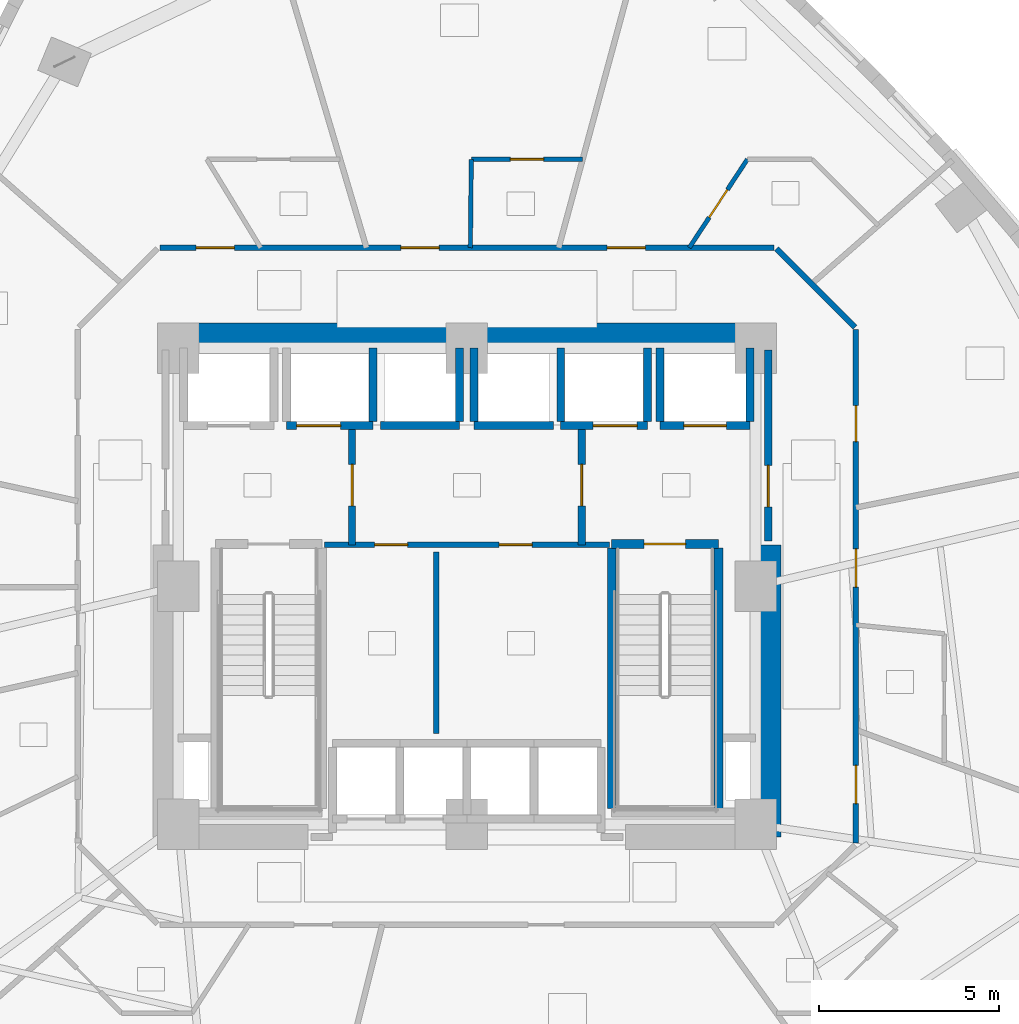
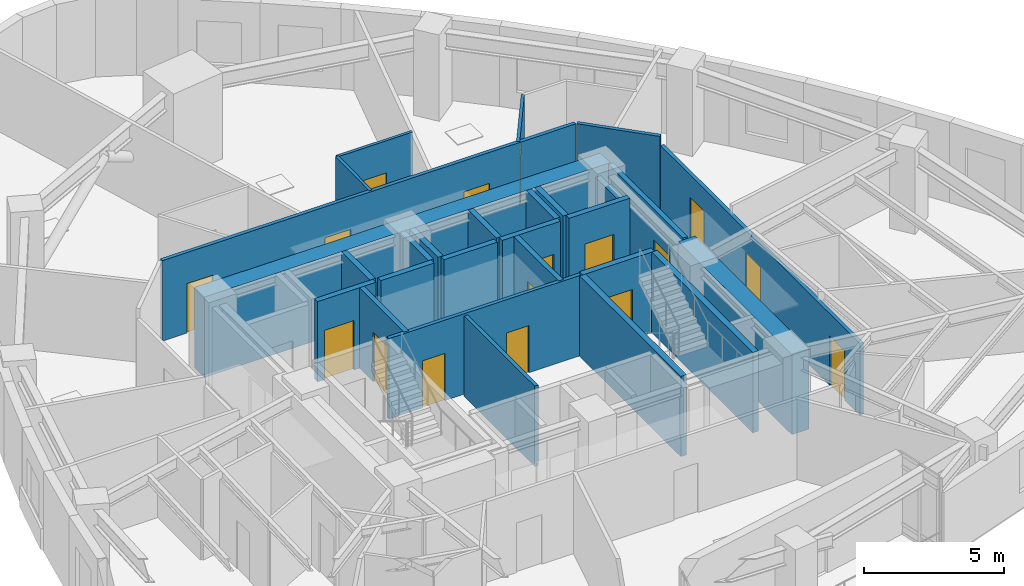
# One storey, part 7 of 12: 28 walls, 17 doors, 17 openings.
"""IFC4 building model written with IfcOpenShell, lengths in metres."""

from ifc_helpers import new_model, si_unit, direction, frame, frame_2d, origin, place, context, subcontext, project, spatial, rectangle, extrude, material, layer, layer_set, type_object, element, fill, save


model = new_model("IFC4")

# Units and contexts
model_context = context("Model", 3, precision=1e-05, world=origin(), true_north=direction((0.0, 1.0)))
body_context = subcontext(model_context, "Body", "Model", "MODEL_VIEW")
ifc_project = project(units=[si_unit("LENGTHUNIT", "METRE"), si_unit("AREAUNIT", "SQUARE_METRE"), si_unit("VOLUMEUNIT", "CUBIC_METRE"), si_unit("PLANEANGLEUNIT", "RADIAN"), si_unit("MASSUNIT", "GRAM", prefix="KILO")], contexts=[model_context])

# Site, building, storey
site_placement = place(None, origin())
site = spatial("IfcSite", under=ifc_project, at=site_placement, CompositionType="ELEMENT")
building_placement = place(site_placement, origin())
building = spatial("IfcBuilding", under=site, at=building_placement, Name="Ndelora Gate Hotel", CompositionType="ELEMENT")
storey_placement = place(building_placement, frame((0.0, 0.0, 71.75)))
storey = spatial("IfcBuildingStorey", under=building, at=storey_placement, Name="L17", CompositionType="ELEMENT", Elevation=71.75)

# Walls
ifc_material_1 = material(Name="Concrete C60/75", Category="concrete")
ifc_layer_1 = layer(ifc_material_1, 0.699951171875)
ifc_layer_set_1 = layer_set([ifc_layer_1], Name="Concrete C60/75")
wall_type_1 = type_object("IfcWallType", Name="WL-CORE-700", PredefinedType="SHEAR", material=ifc_layer_set_1)
wall_1_placement = place(storey_placement, frame((-8.35009765625, 6.949951171875, 0.0), z_axis=(0.0, 0.0, 1.0), x_axis=(1.0, 0.0, 0.0)))
element("IfcWall", 1, at=wall_1_placement, inside=storey, type_object=wall_type_1, Name="L17 Core Shear Wall N", PredefinedType="SHEAR", context=body_context, shape_type="SweptSolid", body=[
    extrude(rectangle(XDim=16.7001953125, YDim=0.699951171875, at=frame_2d((8.35009765625, 0.0))), origin(), (0.0, 0.0, 1.0), 3.5),
])
wall_2_placement = place(storey_placement, frame((8.35009765625, -6.949951171875, 0.0), z_axis=(0.0, 0.0, 1.0), x_axis=(0.0, 1.0, 0.0)))
element("IfcWall", 2, at=wall_2_placement, inside=storey, type_object=wall_type_1, Name="L17 Core Shear Wall E", PredefinedType="SHEAR", context=body_context, shape_type="SweptSolid", body=[
    extrude(rectangle(XDim=8.099853515625, YDim=0.699951171875, at=frame_2d((4.0498046875, 0.0))), origin(), (0.0, 0.0, 1.0), 3.5),
])

# Wall, opening, door
ifc_material_2 = material(Name="Concrete C40/50", Category="concrete")
ifc_layer_2 = layer(ifc_material_2, 0.199951171875)
ifc_layer_set_2 = layer_set([ifc_layer_2], Name="Concrete C40/50")
wall_type_2 = type_object("IfcWallType", Name="WL-FIRE-200", PredefinedType="PARTITIONING", material=ifc_layer_set_2)
wall_3_placement = place(storey_placement, frame((-3.179931640625, 1.14990234375, 0.0), z_axis=(0.0, 0.0, 1.0), x_axis=(0.0, 1.0, 0.0)))
wall_3 = element("IfcWall", 3, at=wall_3_placement, inside=storey, type_object=wall_type_2, Name="L17 Interior Wall IW-2", PredefinedType="PARTITIONING", context=body_context, shape_type="SweptSolid", body=[
    extrude(rectangle(XDim=3.300048828125, YDim=0.199951171875, at=frame_2d((1.64990234375, 0.0))), origin(), (0.0, 0.0, 1.0), 3.5),
])
opening_1_placement = place(wall_3_placement, frame((1.080078125, 0.0, 0.0)))
opening_1 = element("IfcOpeningElement", 4, at=opening_1_placement, cuts=wall_3, Name="Opening FD1", PredefinedType="OPENING", context=body_context, shape_type="SweptSolid", body=[
    extrude(rectangle(XDim=1.14990234375, YDim=2.14990234375, at=frame_2d((0.574951171875, 1.074951171875))), frame((0.0, 0.10986328125, 0.0), z_axis=(0.0, -1.0, 0.0), x_axis=(1.0, 0.0, 0.0)), (0.0, 0.0, 1.0), 0.219970703125),
])
ifc_material_3 = material(Name="Fire-Rated Timber-Veneer Steel Core", Category="steel")
door_type_1 = type_object("IfcDoorType", Name="DR-FD60", OperationType="SINGLE_SWING_LEFT", PredefinedType="DOOR", material=ifc_material_3)
door_1_placement = place(opening_1_placement, origin())
door_1 = element("IfcDoor", 5, at=door_1_placement, inside=storey, type_object=door_type_1, Name="L17 Firefighting Lobby West Door", OperationType="SINGLE_SWING_RIGHT", OverallHeight=2.14990234375, OverallWidth=1.14990234375, PredefinedType="DOOR", context=body_context, shape_type="SweptSolid", body=[
    extrude(rectangle(XDim=1.14990234375, YDim=2.14990234375, at=frame_2d((0.574951171875, 1.074951171875))), frame((0.0, 0.02490234375, 0.0), z_axis=(0.0, -1.0, 0.0), x_axis=(1.0, 0.0, 0.0)), (0.0, 0.0, 1.0), 0.050048828125),
])
fill(opening_1, door_1)

wall_4_placement = place(storey_placement, frame((3.179931640625, 1.14990234375, 0.0), z_axis=(0.0, 0.0, 1.0), x_axis=(0.0, 1.0, 0.0)))
wall_4 = element("IfcWall", 6, at=wall_4_placement, inside=storey, type_object=wall_type_2, Name="L17 Interior Wall IW-2", PredefinedType="PARTITIONING", context=body_context, shape_type="SweptSolid", body=[
    extrude(rectangle(XDim=3.300048828125, YDim=0.199951171875, at=frame_2d((1.64990234375, 0.0))), origin(), (0.0, 0.0, 1.0), 3.5),
])
opening_2_placement = place(wall_4_placement, frame((1.080078125, 0.0, 0.0)))
opening_2 = element("IfcOpeningElement", 7, at=opening_2_placement, cuts=wall_4, Name="Opening FD1", PredefinedType="OPENING", context=body_context, shape_type="SweptSolid", body=[
    extrude(rectangle(XDim=1.14990234375, YDim=2.14990234375, at=frame_2d((0.574951171875, 1.074951171875))), frame((0.0, 0.10986328125, 0.0), z_axis=(0.0, -1.0, 0.0), x_axis=(1.0, 0.0, 0.0)), (0.0, 0.0, 1.0), 0.219970703125),
])
door_2_placement = place(opening_2_placement, origin())
door_2 = element("IfcDoor", 8, at=door_2_placement, inside=storey, type_object=door_type_1, Name="L17 Firefighting Lobby East Door", OperationType="SINGLE_SWING_LEFT", OverallHeight=2.14990234375, OverallWidth=1.14990234375, PredefinedType="DOOR", context=body_context, shape_type="SweptSolid", body=[
    extrude(rectangle(XDim=1.14990234375, YDim=2.14990234375, at=frame_2d((0.574951171875, 1.074951171875))), frame((0.0, 0.02490234375, 0.0), z_axis=(0.0, -1.0, 0.0), x_axis=(1.0, 0.0, 0.0)), (0.0, 0.0, 1.0), 0.050048828125),
])
fill(opening_2, door_2)

wall_5_placement = place(storey_placement, frame((8.35009765625, 1.25, 0.0), z_axis=(0.0, 0.0, 1.0), x_axis=(0.0, 1.0, 0.0)))
wall_5 = element("IfcWall", 9, at=wall_5_placement, inside=storey, type_object=wall_type_2, Name="L17 Interior Wall IW-2", PredefinedType="PARTITIONING", context=body_context, shape_type="SweptSolid", body=[
    extrude(rectangle(XDim=5.300048828125, YDim=0.199951171875, at=frame_2d((2.64990234375, 0.0))), origin(), (0.0, 0.0, 1.0), 3.5),
])
opening_3_placement = place(wall_5_placement, frame((0.949951171875, 0.0, 0.0)))
opening_3 = element("IfcOpeningElement", 10, at=opening_3_placement, cuts=wall_5, Name="Opening FD1", PredefinedType="OPENING", context=body_context, shape_type="SweptSolid", body=[
    extrude(rectangle(XDim=1.14990234375, YDim=2.14990234375, at=frame_2d((0.574951171875, 1.074951171875))), frame((0.0, 0.10986328125, 0.0), z_axis=(0.0, -1.0, 0.0), x_axis=(1.0, 0.0, 0.0)), (0.0, 0.0, 1.0), 0.219970703125),
])
door_3_placement = place(opening_3_placement, origin())
door_3 = element("IfcDoor", 11, at=door_3_placement, inside=storey, type_object=door_type_1, Name="L17 Firefighting Lobby East Corridor Door", OperationType="SINGLE_SWING_RIGHT", OverallHeight=2.14990234375, OverallWidth=1.14990234375, PredefinedType="DOOR", context=body_context, shape_type="SweptSolid", body=[
    extrude(rectangle(XDim=1.14990234375, YDim=2.14990234375, at=frame_2d((0.574951171875, 1.074951171875))), frame((0.0, 0.02490234375, 0.0), z_axis=(0.0, -1.0, 0.0), x_axis=(1.0, 0.0, 0.0)), (0.0, 0.0, 1.0), 0.050048828125),
])
fill(opening_3, door_3)

# Wall, openings, doors
ifc_material_4 = material(Name="Fire-Rated Gypsum Stud Partition", Category="gypsum")
ifc_layer_3 = layer(ifc_material_4, 0.14990234375)
ifc_layer_set_3 = layer_set([ifc_layer_3], Name="Fire-Rated Gypsum Stud Partition")
wall_type_3 = type_object("IfcWallType", Name="WL-PART-150", PredefinedType="PARTITIONING", material=ifc_layer_set_3)
wall_6_placement = place(storey_placement, frame((3.949951171875, 1.14990234375, 0.0), z_axis=(0.0, 0.0, 1.0), x_axis=(-1.0, 0.0, 0.0)))
wall_6 = element("IfcWall", 12, at=wall_6_placement, inside=storey, type_object=wall_type_3, Name="L17 Interior Wall IW-5", PredefinedType="PARTITIONING", context=body_context, shape_type="SweptSolid", body=[
    extrude(rectangle(XDim=7.89990234375, YDim=0.14990234375, at=frame_2d((3.949951171875, 0.0))), origin(), (0.0, 0.0, 1.0), 3.5),
])
opening_4_placement = place(wall_6_placement, frame((5.590087890625, 0.0, 0.0)))
opening_4 = element("IfcOpeningElement", 13, at=opening_4_placement, cuts=wall_6, Name="Opening D04", PredefinedType="OPENING", context=body_context, shape_type="SweptSolid", body=[
    extrude(rectangle(XDim=0.919921875, YDim=2.050048828125, at=frame_2d((0.4599609375, 1.02490234375))), frame((0.0, 0.0849609375, 0.0), z_axis=(0.0, -1.0, 0.0), x_axis=(1.0, 0.0, 0.0)), (0.0, 0.0, 1.0), 0.169921875),
])
opening_5_placement = place(wall_6_placement, frame((2.139892578125, 0.0, 0.0)))
opening_5 = element("IfcOpeningElement", 14, at=opening_5_placement, cuts=wall_6, Name="Opening D04", PredefinedType="OPENING", context=body_context, shape_type="SweptSolid", body=[
    extrude(rectangle(XDim=0.919921875, YDim=2.050048828125, at=frame_2d((0.4599609375, 1.02490234375))), frame((0.0, 0.0849609375, 0.0), z_axis=(0.0, -1.0, 0.0), x_axis=(1.0, 0.0, 0.0)), (0.0, 0.0, 1.0), 0.169921875),
])
ifc_material_5 = material(Name="Painted Steel Core Service Door", Category="steel")
door_type_2 = type_object("IfcDoorType", Name="DR-SER-920", OperationType="SINGLE_SWING_LEFT", PredefinedType="DOOR", material=ifc_material_5)
door_4_placement = place(opening_4_placement, origin())
door_4 = element("IfcDoor", 15, at=door_4_placement, inside=storey, type_object=door_type_2, Name="L17 Core Electrical Switchroom Door", OperationType="SINGLE_SWING_LEFT", OverallHeight=2.050048828125, OverallWidth=0.919921875, PredefinedType="DOOR", context=body_context, shape_type="SweptSolid", body=[
    extrude(rectangle(XDim=0.919921875, YDim=2.050048828125, at=frame_2d((0.4599609375, 1.02490234375))), frame((0.0, 0.02490234375, 0.0), z_axis=(0.0, -1.0, 0.0), x_axis=(1.0, 0.0, 0.0)), (0.0, 0.0, 1.0), 0.050048828125),
])
fill(opening_4, door_4)
door_5_placement = place(opening_5_placement, origin())
door_5 = element("IfcDoor", 16, at=door_5_placement, inside=storey, type_object=door_type_2, Name="L17 Central Linen Equipment Store Door", OperationType="SINGLE_SWING_RIGHT", OverallHeight=2.050048828125, OverallWidth=0.919921875, PredefinedType="DOOR", context=body_context, shape_type="SweptSolid", body=[
    extrude(rectangle(XDim=0.919921875, YDim=2.050048828125, at=frame_2d((0.4599609375, 1.02490234375))), frame((0.0, 0.02490234375, 0.0), z_axis=(0.0, -1.0, 0.0), x_axis=(1.0, 0.0, 0.0)), (0.0, 0.0, 1.0), 0.050048828125),
])
fill(opening_5, door_5)

# Wall
wall_7_placement = place(storey_placement, frame((-0.85009765625, -4.080078125, 0.0), z_axis=(0.0, 0.0, 1.0), x_axis=(0.0, 1.0, 0.0)))
element("IfcWall", 17, at=wall_7_placement, inside=storey, type_object=wall_type_3, Name="L17 Interior Wall IW-5", PredefinedType="PARTITIONING", context=body_context, shape_type="SweptSolid", body=[
    extrude(rectangle(XDim=5.030029296875, YDim=0.14990234375, at=frame_2d((2.51513671875, 0.0))), origin(), (0.0, 0.0, 1.0), 3.5),
])

# Wall, openings, doors
wall_8_placement = place(storey_placement, frame((10.780029296875, 7.110107421875, 0.0), z_axis=(0.0, 0.0, 1.0), x_axis=(0.0, -1.0, 0.0)))
wall_8 = element("IfcWall", 18, at=wall_8_placement, inside=storey, type_object=wall_type_3, Name="L17 Interior Wall IW-5", PredefinedType="PARTITIONING", context=body_context, shape_type="SweptSolid", body=[
    extrude(rectangle(XDim=14.22021484375, YDim=0.14990234375, at=frame_2d((7.110107421875, 0.0))), origin(), (0.0, 0.0, 1.0), 3.1201171875),
])
opening_6_placement = place(wall_8_placement, frame((2.104736328125, 0.0, 0.0)))
opening_6 = element("IfcOpeningElement", 19, at=opening_6_placement, cuts=wall_8, Name="Opening D01", PredefinedType="OPENING", context=body_context, shape_type="SweptSolid", body=[
    extrude(rectangle(XDim=1.0, YDim=2.14990234375, at=frame_2d((0.5, 1.074951171875))), frame((0.0, 0.0849609375, 0.0), z_axis=(0.0, -1.0, 0.0), x_axis=(1.0, 0.0, 0.0)), (0.0, 0.0, 1.0), 0.169921875),
])
opening_7_placement = place(wall_8_placement, frame((12.0751953125, 0.0, 0.0)))
opening_7 = element("IfcOpeningElement", 20, at=opening_7_placement, cuts=wall_8, Name="Opening D07", PredefinedType="OPENING", context=body_context, shape_type="SweptSolid", body=[
    extrude(rectangle(XDim=1.06005859375, YDim=2.14990234375, at=frame_2d((0.530029296875, 1.074951171875))), frame((0.0, 0.0849609375, 0.0), z_axis=(0.0, -1.0, 0.0), x_axis=(1.0, 0.0, 0.0)), (0.0, 0.0, 1.0), 0.169921875),
])
opening_8_placement = place(wall_8_placement, frame((6.074462890625, 0.0, 0.0)))
opening_8 = element("IfcOpeningElement", 21, at=opening_8_placement, cuts=wall_8, Name="Opening D07", PredefinedType="OPENING", context=body_context, shape_type="SweptSolid", body=[
    extrude(rectangle(XDim=1.06005859375, YDim=2.14990234375, at=frame_2d((0.530029296875, 1.074951171875))), frame((0.0, 0.0849609375, 0.0), z_axis=(0.0, -1.0, 0.0), x_axis=(1.0, 0.0, 0.0)), (0.0, 0.0, 1.0), 0.169921875),
])
ifc_material_6 = material(Name="Acoustic Hardwood Guest Entrance Door", Category="wood")
door_type_3 = type_object("IfcDoorType", Name="DR-COR-1000", OperationType="SINGLE_SWING_LEFT", PredefinedType="DOOR", material=ifc_material_6)
door_6_placement = place(opening_6_placement, origin())
door_6 = element("IfcDoor", 22, at=door_6_placement, inside=storey, type_object=door_type_3, Name="L17 Curated Art Salon Entrance Door", OperationType="SINGLE_SWING_LEFT", OverallHeight=2.14990234375, OverallWidth=1.0, PredefinedType="DOOR", context=body_context, shape_type="SweptSolid", body=[
    extrude(rectangle(XDim=1.0, YDim=2.14990234375, at=frame_2d((0.5, 1.074951171875))), frame((0.0, 0.02490234375, 0.0), z_axis=(0.0, -1.0, 0.0), x_axis=(1.0, 0.0, 0.0)), (0.0, 0.0, 1.0), 0.050048828125),
])
fill(opening_6, door_6)
ifc_material_7 = material(Name="Diplomatic Suite Acoustic Entrance Door", Category="wood")
door_type_4 = type_object("IfcDoorType", Name="DR-SUITE-1060", OperationType="SINGLE_SWING_LEFT", PredefinedType="DOOR", material=ifc_material_7)
door_7_placement = place(opening_7_placement, origin())
door_7 = element("IfcDoor", 23, at=door_7_placement, inside=storey, type_object=door_type_4, Name="L17 Deluxe King Junior Suite 2003 Entrance Door", OperationType="SINGLE_SWING_LEFT", OverallHeight=2.14990234375, OverallWidth=1.06005859375, PredefinedType="DOOR", context=body_context, shape_type="SweptSolid", body=[
    extrude(rectangle(XDim=1.06005859375, YDim=2.14990234375, at=frame_2d((0.530029296875, 1.074951171875))), frame((0.0, 0.02490234375, 0.0), z_axis=(0.0, -1.0, 0.0), x_axis=(1.0, 0.0, 0.0)), (0.0, 0.0, 1.0), 0.050048828125),
])
fill(opening_7, door_7)
door_8_placement = place(opening_8_placement, origin())
door_8 = element("IfcDoor", 24, at=door_8_placement, inside=storey, type_object=door_type_4, Name="L17 Twin Junior Suite 2004 Entrance Door", OperationType="SINGLE_SWING_RIGHT", OverallHeight=2.14990234375, OverallWidth=1.06005859375, PredefinedType="DOOR", context=body_context, shape_type="SweptSolid", body=[
    extrude(rectangle(XDim=1.06005859375, YDim=2.14990234375, at=frame_2d((0.530029296875, 1.074951171875))), frame((0.0, 0.02490234375, 0.0), z_axis=(0.0, -1.0, 0.0), x_axis=(1.0, 0.0, 0.0)), (0.0, 0.0, 1.0), 0.050048828125),
])
fill(opening_8, door_8)

# Wall
wall_9_placement = place(storey_placement, frame((8.578369140625, 9.351806640625, 0.0), z_axis=(0.0, 0.0, 1.0), x_axis=(0.707067066127, -0.707146494016, 0.0)))
element("IfcWall", 25, at=wall_9_placement, inside=storey, type_object=wall_type_3, Name="L17 Interior Wall IW-5", PredefinedType="PARTITIONING", context=body_context, shape_type="SweptSolid", body=[
    extrude(rectangle(XDim=3.07373046875, YDim=0.14990234375, at=frame_2d((1.536865234375, 0.0))), origin(), (0.0, 0.0, 1.0), 3.5),
])

# Wall, openings, doors
wall_10_placement = place(storey_placement, frame((-8.510009765625, 9.3798828125, 0.0), z_axis=(0.0, 0.0, 1.0), x_axis=(1.0, 0.0, 0.0)))
wall_10 = element("IfcWall", 26, at=wall_10_placement, inside=storey, type_object=wall_type_3, Name="L17 Interior Wall IW-5", PredefinedType="PARTITIONING", context=body_context, shape_type="SweptSolid", body=[
    extrude(rectangle(XDim=17.02001953125, YDim=0.14990234375, at=frame_2d((8.510009765625, 0.0))), origin(), (0.0, 0.0, 1.0), 3.5),
])
opening_9_placement = place(wall_10_placement, frame((12.39794921875, 0.0, 0.0)))
opening_9 = element("IfcOpeningElement", 27, at=opening_9_placement, cuts=wall_10, Name="Opening D07", PredefinedType="OPENING", context=body_context, shape_type="SweptSolid", body=[
    extrude(rectangle(XDim=1.06005859375, YDim=2.14990234375, at=frame_2d((0.530029296875, 1.074951171875))), frame((0.0, 0.0849609375, 0.0), z_axis=(0.0, -1.0, 0.0), x_axis=(1.0, 0.0, 0.0)), (0.0, 0.0, 1.0), 0.169921875),
])
opening_10_placement = place(wall_10_placement, frame((1.007080078125, 0.0, 0.0)))
opening_10 = element("IfcOpeningElement", 28, at=opening_10_placement, cuts=wall_10, Name="Opening D07", PredefinedType="OPENING", context=body_context, shape_type="SweptSolid", body=[
    extrude(rectangle(XDim=1.06005859375, YDim=2.14990234375, at=frame_2d((0.530029296875, 1.074951171875))), frame((0.0, 0.0849609375, 0.0), z_axis=(0.0, -1.0, 0.0), x_axis=(1.0, 0.0, 0.0)), (0.0, 0.0, 1.0), 0.169921875),
])
opening_11_placement = place(wall_10_placement, frame((6.6826171875, 0.0, 0.0)))
opening_11 = element("IfcOpeningElement", 29, at=opening_11_placement, cuts=wall_10, Name="Opening D07", PredefinedType="OPENING", context=body_context, shape_type="SweptSolid", body=[
    extrude(rectangle(XDim=1.06005859375, YDim=2.14990234375, at=frame_2d((0.530029296875, 1.074951171875))), frame((0.0, 0.0849609375, 0.0), z_axis=(0.0, -1.0, 0.0), x_axis=(1.0, 0.0, 0.0)), (0.0, 0.0, 1.0), 0.169921875),
])
door_9_placement = place(opening_9_placement, origin())
door_9 = element("IfcDoor", 30, at=door_9_placement, inside=storey, type_object=door_type_4, Name="L17 Family Twin Suite 2005 Entrance Door", OperationType="SINGLE_SWING_RIGHT", OverallHeight=2.14990234375, OverallWidth=1.06005859375, PredefinedType="DOOR", context=body_context, shape_type="SweptSolid", body=[
    extrude(rectangle(XDim=1.06005859375, YDim=2.14990234375, at=frame_2d((0.530029296875, 1.074951171875))), frame((0.0, 0.02490234375, 0.0), z_axis=(0.0, -1.0, 0.0), x_axis=(1.0, 0.0, 0.0)), (0.0, 0.0, 1.0), 0.050048828125),
])
fill(opening_9, door_9)
door_10_placement = place(opening_10_placement, origin())
door_10 = element("IfcDoor", 31, at=door_10_placement, inside=storey, type_object=door_type_4, Name="L17 Superior Double Junior Suite 2007 Entrance Door", OperationType="SINGLE_SWING_RIGHT", OverallHeight=2.14990234375, OverallWidth=1.06005859375, PredefinedType="DOOR", context=body_context, shape_type="SweptSolid", body=[
    extrude(rectangle(XDim=1.06005859375, YDim=2.14990234375, at=frame_2d((0.530029296875, 1.074951171875))), frame((0.0, 0.02490234375, 0.0), z_axis=(0.0, -1.0, 0.0), x_axis=(1.0, 0.0, 0.0)), (0.0, 0.0, 1.0), 0.050048828125),
])
fill(opening_10, door_10)
door_11_placement = place(opening_11_placement, origin())
door_11 = element("IfcDoor", 32, at=door_11_placement, inside=storey, type_object=door_type_4, Name="L17 Executive King Junior Suite 2006 Entrance Door", OperationType="SINGLE_SWING_LEFT", OverallHeight=2.14990234375, OverallWidth=1.06005859375, PredefinedType="DOOR", context=body_context, shape_type="SweptSolid", body=[
    extrude(rectangle(XDim=1.06005859375, YDim=2.14990234375, at=frame_2d((0.530029296875, 1.074951171875))), frame((0.0, 0.02490234375, 0.0), z_axis=(0.0, -1.0, 0.0), x_axis=(1.0, 0.0, 0.0)), (0.0, 0.0, 1.0), 0.050048828125),
])
fill(opening_11, door_11)

# Wall, opening, door
ifc_layer_4 = layer(ifc_material_2, 0.219970703125)
ifc_layer_set_4 = layer_set([ifc_layer_4], Name="Concrete C40/50")
wall_type_4 = type_object("IfcWallType", Name="WL-SHAFT-220", PredefinedType="PARTITIONING", material=ifc_layer_set_4)
wall_11_placement = place(storey_placement, frame((5.35009765625, 4.449951171875, 0.0), z_axis=(0.0, 0.0, 1.0), x_axis=(1.0, 0.0, 0.0)))
wall_11 = element("IfcWall", 33, at=wall_11_placement, inside=storey, type_object=wall_type_4, Name="L17 Interior Wall IW-1", PredefinedType="PARTITIONING", context=body_context, shape_type="SweptSolid", body=[
    extrude(rectangle(XDim=2.5, YDim=0.219970703125, at=frame_2d((1.25, 0.0))), origin(), (0.0, 0.0, 1.0), 3.5),
])
opening_12_placement = place(wall_11_placement, frame((0.659912109375, 0.0, 0.0)))
opening_12 = element("IfcOpeningElement", 34, at=opening_12_placement, cuts=wall_11, Name="Opening LD5", PredefinedType="OPENING", context=body_context, shape_type="SweptSolid", body=[
    extrude(rectangle(XDim=1.179931640625, YDim=2.14990234375, at=frame_2d((0.58984375, 1.074951171875))), frame((0.0, 0.1201171875, 0.0), z_axis=(0.0, -1.0, 0.0), x_axis=(1.0, 0.0, 0.0)), (0.0, 0.0, 1.0), 0.239990234375),
])
ifc_material_8 = material(Name="Firefighting Lift Stainless Sliding Landing Door", Category="metal")
door_type_5 = type_object("IfcDoorType", Name="DR-LD5", OperationType="DOUBLE_DOOR_SLIDING", PredefinedType="DOOR", material=ifc_material_8)
door_12_placement = place(opening_12_placement, origin())
door_12 = element("IfcDoor", 35, at=door_12_placement, inside=storey, type_object=door_type_5, Name="L17 Lift Landing Sliding Door FFL2", OperationType="DOUBLE_DOOR_SLIDING", OverallHeight=2.14990234375, OverallWidth=1.179931640625, PredefinedType="DOOR", context=body_context, shape_type="SweptSolid", body=[
    extrude(rectangle(XDim=1.179931640625, YDim=2.14990234375, at=frame_2d((0.58984375, 1.074951171875))), frame((0.0, 0.02490234375, 0.0), z_axis=(0.0, -1.0, 0.0), x_axis=(1.0, 0.0, 0.0)), (0.0, 0.0, 1.0), 0.050048828125),
])
fill(opening_12, door_12)

# Walls
wall_12_placement = place(storey_placement, frame((5.35009765625, 4.570068359375, 0.0), z_axis=(0.0, 0.0, 1.0), x_axis=(0.0, 1.0, 0.0)))
element("IfcWall", 36, at=wall_12_placement, inside=storey, type_object=wall_type_4, Name="L17 Interior Wall IW-1", PredefinedType="PARTITIONING", context=body_context, shape_type="SweptSolid", body=[
    extrude(rectangle(XDim=2.030029296875, YDim=0.219970703125, at=frame_2d((1.01513671875, 0.0))), origin(), (0.0, 0.0, 1.0), 3.5),
])
wall_13_placement = place(storey_placement, frame((7.85009765625, 4.570068359375, 0.0), z_axis=(0.0, 0.0, 1.0), x_axis=(0.0, 1.0, 0.0)))
element("IfcWall", 37, at=wall_13_placement, inside=storey, type_object=wall_type_4, Name="L17 Interior Wall IW-1", PredefinedType="PARTITIONING", context=body_context, shape_type="SweptSolid", body=[
    extrude(rectangle(XDim=2.030029296875, YDim=0.219970703125, at=frame_2d((1.01513671875, 0.0))), origin(), (0.0, 0.0, 1.0), 3.080078125),
])

# Wall, opening, door
wall_14_placement = place(storey_placement, frame((-5.0, 4.449951171875, 0.0), z_axis=(0.0, 0.0, 1.0), x_axis=(1.0, 0.0, 0.0)))
wall_14 = element("IfcWall", 38, at=wall_14_placement, inside=storey, type_object=wall_type_4, Name="L17 Interior Wall IW-1", PredefinedType="PARTITIONING", context=body_context, shape_type="SweptSolid", body=[
    extrude(rectangle(XDim=2.39990234375, YDim=0.219970703125, at=frame_2d((1.199951171875, 0.0))), origin(), (0.0, 0.0, 1.0), 3.5),
])
opening_13_placement = place(wall_14_placement, frame((0.280029296875, 0.0, 0.0)))
opening_13 = element("IfcOpeningElement", 39, at=opening_13_placement, cuts=wall_14, Name="Opening LD6", PredefinedType="OPENING", context=body_context, shape_type="SweptSolid", body=[
    extrude(rectangle(XDim=1.219970703125, YDim=2.14990234375, at=frame_2d((0.60986328125, 1.074951171875))), frame((0.0, 0.1201171875, 0.0), z_axis=(0.0, -1.0, 0.0), x_axis=(1.0, 0.0, 0.0)), (0.0, 0.0, 1.0), 0.239990234375),
])
ifc_material_9 = material(Name="Heavy-Duty Service Lift Sliding Landing Door", Category="wood")
door_type_6 = type_object("IfcDoorType", Name="DR-LD6", OperationType="DOUBLE_DOOR_SLIDING", PredefinedType="DOOR", material=ifc_material_9)
door_13_placement = place(opening_13_placement, origin())
door_13 = element("IfcDoor", 40, at=door_13_placement, inside=storey, type_object=door_type_6, Name="L17 Lift Landing Sliding Door SVL1", OperationType="DOUBLE_DOOR_SLIDING", OverallHeight=2.14990234375, OverallWidth=1.219970703125, PredefinedType="DOOR", context=body_context, shape_type="SweptSolid", body=[
    extrude(rectangle(XDim=1.219970703125, YDim=2.14990234375, at=frame_2d((0.60986328125, 1.074951171875))), frame((0.0, 0.02490234375, 0.0), z_axis=(0.0, -1.0, 0.0), x_axis=(1.0, 0.0, 0.0)), (0.0, 0.0, 1.0), 0.050048828125),
])
fill(opening_13, door_13)

# Wall
wall_15_placement = place(storey_placement, frame((-2.60009765625, 4.570068359375, 0.0), z_axis=(0.0, 0.0, 1.0), x_axis=(0.0, 1.0, 0.0)))
element("IfcWall", 41, at=wall_15_placement, inside=storey, type_object=wall_type_4, Name="L17 Interior Wall IW-1", PredefinedType="PARTITIONING", context=body_context, shape_type="SweptSolid", body=[
    extrude(rectangle(XDim=2.030029296875, YDim=0.219970703125, at=frame_2d((1.01513671875, 0.0))), origin(), (0.0, 0.0, 1.0), 3.5),
])

# Wall, opening, door
wall_16_placement = place(storey_placement, frame((2.60009765625, 4.449951171875, 0.0), z_axis=(0.0, 0.0, 1.0), x_axis=(1.0, 0.0, 0.0)))
wall_16 = element("IfcWall", 42, at=wall_16_placement, inside=storey, type_object=wall_type_4, Name="L17 Interior Wall IW-1", PredefinedType="PARTITIONING", context=body_context, shape_type="SweptSolid", body=[
    extrude(rectangle(XDim=2.39990234375, YDim=0.219970703125, at=frame_2d((1.199951171875, 0.0))), origin(), (0.0, 0.0, 1.0), 3.5),
])
opening_14_placement = place(wall_16_placement, frame((0.89990234375, 0.0, 0.0)))
opening_14 = element("IfcOpeningElement", 43, at=opening_14_placement, cuts=wall_16, Name="Opening LD6", PredefinedType="OPENING", context=body_context, shape_type="SweptSolid", body=[
    extrude(rectangle(XDim=1.219970703125, YDim=2.14990234375, at=frame_2d((0.60986328125, 1.074951171875))), frame((0.0, 0.1201171875, 0.0), z_axis=(0.0, -1.0, 0.0), x_axis=(1.0, 0.0, 0.0)), (0.0, 0.0, 1.0), 0.239990234375),
])
door_14_placement = place(opening_14_placement, origin())
door_14 = element("IfcDoor", 44, at=door_14_placement, inside=storey, type_object=door_type_6, Name="L17 Lift Landing Sliding Door SVL2", OperationType="DOUBLE_DOOR_SLIDING", OverallHeight=2.14990234375, OverallWidth=1.219970703125, PredefinedType="DOOR", context=body_context, shape_type="SweptSolid", body=[
    extrude(rectangle(XDim=1.219970703125, YDim=2.14990234375, at=frame_2d((0.60986328125, 1.074951171875))), frame((0.0, 0.02490234375, 0.0), z_axis=(0.0, -1.0, 0.0), x_axis=(1.0, 0.0, 0.0)), (0.0, 0.0, 1.0), 0.050048828125),
])
fill(opening_14, door_14)

# Walls
for number, where, z_axis, x_axis, name in (
    (45, (2.60009765625, 4.570068359375, 0.0), (0.0, 0.0, 1.0), (0.0, 1.0, 0.0), "L17 Interior Wall IW-1"),
    (46, (5.0, 4.570068359375, 0.0), (0.0, 0.0, 1.0), (0.0, 1.0, 0.0), "L17 Interior Wall IW-1"),
):
    element("IfcWall", number, at=place(storey_placement, frame(where, z_axis=z_axis, x_axis=x_axis)), inside=storey, type_object=wall_type_4, Name=name, PredefinedType="PARTITIONING", context=body_context, shape_type="SweptSolid", body=[
        extrude(rectangle(XDim=2.030029296875, YDim=0.219970703125, at=frame_2d((1.01513671875, 0.0))), origin(), (0.0, 0.0, 1.0), 3.5),
    ])
wall_17_placement = place(storey_placement, frame((-2.39990234375, 4.449951171875, 0.0), z_axis=(0.0, 0.0, 1.0), x_axis=(1.0, 0.0, 0.0)))
element("IfcWall", 47, at=wall_17_placement, inside=storey, type_object=wall_type_4, Name="L17 Interior Wall IW-1", PredefinedType="PARTITIONING", context=body_context, shape_type="SweptSolid", body=[
    extrude(rectangle(XDim=2.199951171875, YDim=0.219970703125, at=frame_2d((1.10009765625, 0.0))), origin(), (0.0, 0.0, 1.0), 3.5),
])
wall_18_placement = place(storey_placement, frame((-0.199951171875, 4.570068359375, 0.0), z_axis=(0.0, 0.0, 1.0), x_axis=(0.0, 1.0, 0.0)))
element("IfcWall", 48, at=wall_18_placement, inside=storey, type_object=wall_type_4, Name="L17 Interior Wall IW-1", PredefinedType="PARTITIONING", context=body_context, shape_type="SweptSolid", body=[
    extrude(rectangle(XDim=2.030029296875, YDim=0.219970703125, at=frame_2d((1.01513671875, 0.0))), origin(), (0.0, 0.0, 1.0), 3.5),
])
wall_19_placement = place(storey_placement, frame((0.199951171875, 4.449951171875, 0.0), z_axis=(0.0, 0.0, 1.0), x_axis=(1.0, 0.0, 0.0)))
element("IfcWall", 49, at=wall_19_placement, inside=storey, type_object=wall_type_4, Name="L17 Interior Wall IW-1", PredefinedType="PARTITIONING", context=body_context, shape_type="SweptSolid", body=[
    extrude(rectangle(XDim=2.199951171875, YDim=0.219970703125, at=frame_2d((1.10009765625, 0.0))), origin(), (0.0, 0.0, 1.0), 3.5),
])
wall_20_placement = place(storey_placement, frame((0.199951171875, 4.570068359375, 0.0), z_axis=(0.0, 0.0, 1.0), x_axis=(0.0, 1.0, 0.0)))
element("IfcWall", 50, at=wall_20_placement, inside=storey, type_object=wall_type_4, Name="L17 Interior Wall IW-1", PredefinedType="PARTITIONING", context=body_context, shape_type="SweptSolid", body=[
    extrude(rectangle(XDim=2.030029296875, YDim=0.219970703125, at=frame_2d((1.01513671875, 0.0))), origin(), (0.0, 0.0, 1.0), 3.5),
])
ifc_material_10 = material(Name="Concrete C50/60", Category="concrete")
ifc_layer_5 = layer(ifc_material_10, 0.239990234375)
ifc_layer_set_5 = layer_set([ifc_layer_5], Name="Concrete C50/60")
wall_type_5 = type_object("IfcWallType", Name="WL-STAIR-240", PredefinedType="SHEAR", material=ifc_layer_set_5)
for number, where, z_axis, x_axis, name in (
    (51, (4.010009765625, -6.159912109375, 0.0), (0.0, 0.0, 1.0), (0.0, 1.0, 0.0), "L17 Stair Core Shear Wall SW-ST"),
    (52, (6.969970703125, -6.159912109375, 0.0), (0.0, 0.0, 1.0), (0.0, 1.0, 0.0), "L17 Stair Core Shear Wall SW-ST"),
):
    element("IfcWall", number, at=place(storey_placement, frame(where, z_axis=z_axis, x_axis=x_axis)), inside=storey, type_object=wall_type_5, Name=name, PredefinedType="SHEAR", context=body_context, shape_type="SweptSolid", body=[
        extrude(rectangle(XDim=7.219970703125, YDim=0.239990234375, at=frame_2d((3.60986328125, 0.0))), origin(), (0.0, 0.0, 1.0), 3.5),
    ])

# Wall, opening, door
wall_21_placement = place(storey_placement, frame((4.010009765625, 1.169921875, 0.0), z_axis=(0.0, 0.0, 1.0), x_axis=(1.0, 0.0, 0.0)))
wall_21 = element("IfcWall", 53, at=wall_21_placement, inside=storey, type_object=wall_type_5, Name="L17 Stair Core Shear Wall SW-ST", PredefinedType="SHEAR", context=body_context, shape_type="SweptSolid", body=[
    extrude(rectangle(XDim=2.9599609375, YDim=0.239990234375, at=frame_2d((1.47998046875, 0.0))), origin(), (0.0, 0.0, 1.0), 3.5),
])
opening_15_placement = place(wall_21_placement, frame((0.89990234375, 0.0, 0.0)))
opening_15 = element("IfcOpeningElement", 54, at=opening_15_placement, cuts=wall_21, Name="Opening FD1", PredefinedType="OPENING", context=body_context, shape_type="SweptSolid", body=[
    extrude(rectangle(XDim=1.14990234375, YDim=2.14990234375, at=frame_2d((0.574951171875, 1.074951171875))), frame((0.0, 0.1298828125, 0.0), z_axis=(0.0, -1.0, 0.0), x_axis=(1.0, 0.0, 0.0)), (0.0, 0.0, 1.0), 0.260009765625),
])
door_15_placement = place(opening_15_placement, origin())
door_15 = element("IfcDoor", 55, at=door_15_placement, inside=storey, type_object=door_type_1, Name="L17 Exit Stair ST5 Door", OperationType="SINGLE_SWING_RIGHT", OverallHeight=2.14990234375, OverallWidth=1.14990234375, PredefinedType="DOOR", context=body_context, shape_type="SweptSolid", body=[
    extrude(rectangle(XDim=1.14990234375, YDim=2.14990234375, at=frame_2d((0.574951171875, 1.074951171875))), frame((0.0, 0.02490234375, 0.0), z_axis=(0.0, -1.0, 0.0), x_axis=(1.0, 0.0, 0.0)), (0.0, 0.0, 1.0), 0.050048828125),
])
fill(opening_15, door_15)

ifc_material_11 = material(Name="Moisture-Resistant Bathroom Tile Partition", Category="gypsum")
ifc_layer_6 = layer(ifc_material_11, 0.1201171875)
ifc_layer_set_6 = layer_set([ifc_layer_6], Name="Moisture-Resistant Bathroom Tile Partition")
wall_type_6 = type_object("IfcWallType", Name="WL-WET-120", PredefinedType="PARTITIONING", material=ifc_layer_set_6)
wall_22_placement = place(storey_placement, frame((6.162109375, 9.3798828125, 0.0), z_axis=(0.0, 0.0, 1.0), x_axis=(0.54905657123, 0.835785188664, 0.0)))
wall_22 = element("IfcWall", 56, at=wall_22_placement, inside=storey, type_object=wall_type_6, Name="L17 Interior Wall IW-7", PredefinedType="PARTITIONING", context=body_context, shape_type="SweptSolid", body=[
    extrude(rectangle(XDim=2.931640625, YDim=0.1201171875, at=frame_2d((1.4658203125, 0.0))), origin(), (0.0, 0.0, 1.0), 3.5),
])
opening_16_placement = place(wall_22_placement, frame((1.005615234375, 0.0, 0.0)))
opening_16 = element("IfcOpeningElement", 57, at=opening_16_placement, cuts=wall_22, Name="Opening D03", PredefinedType="OPENING", context=body_context, shape_type="SweptSolid", body=[
    extrude(rectangle(XDim=0.919921875, YDim=2.10009765625, at=frame_2d((0.4599609375, 1.050048828125))), frame((0.0, 0.070068359375, 0.0), z_axis=(0.0, -1.0, 0.0), x_axis=(1.0, 0.0, 0.0)), (0.0, 0.0, 1.0), 0.14013671875),
])
ifc_material_12 = material(Name="Moisture-Resistant Hardwood En-Suite Door", Category="wood")
door_type_7 = type_object("IfcDoorType", Name="DR-BATH-920", OperationType="SINGLE_SWING_LEFT", PredefinedType="DOOR", material=ifc_material_12)
door_16_placement = place(opening_16_placement, origin())
door_16 = element("IfcDoor", 58, at=door_16_placement, inside=storey, type_object=door_type_7, Name="L17 En-suite Bathroom 2005 Door", OperationType="SINGLE_SWING_RIGHT", OverallHeight=2.10009765625, OverallWidth=0.919921875, PredefinedType="DOOR", context=body_context, shape_type="SweptSolid", body=[
    extrude(rectangle(XDim=0.919921875, YDim=2.10009765625, at=frame_2d((0.4599609375, 1.050048828125))), frame((0.0, 0.02490234375, 0.0), z_axis=(0.0, -1.0, 0.0), x_axis=(1.0, 0.0, 0.0)), (0.0, 0.0, 1.0), 0.050048828125),
])
fill(opening_16, door_16)

# Wall
wall_23_placement = place(storey_placement, frame((0.096435546875, 9.3798828125, 0.0), z_axis=(0.0, 0.0, 1.0), x_axis=(0.010262512547, 0.999947339032, 0.0)))
element("IfcWall", 59, at=wall_23_placement, inside=storey, type_object=wall_type_6, Name="L17 Interior Wall IW-7", PredefinedType="PARTITIONING", context=body_context, shape_type="SweptSolid", body=[
    extrude(rectangle(XDim=2.450439453125, YDim=0.1201171875, at=frame_2d((1.22509765625, 0.0))), origin(), (0.0, 0.0, 1.0), 3.5),
])

# Wall, opening, door
wall_24_placement = place(storey_placement, frame((0.12158203125, 11.830078125, 0.0), z_axis=(0.0, 0.0, 1.0), x_axis=(1.0, 0.0, 0.0)))
wall_24 = element("IfcWall", 60, at=wall_24_placement, inside=storey, type_object=wall_type_6, Name="L17 Interior Wall IW-7", PredefinedType="PARTITIONING", context=body_context, shape_type="SweptSolid", body=[
    extrude(rectangle(XDim=3.0859375, YDim=0.1201171875, at=frame_2d((1.54296875, 0.0))), origin(), (0.0, 0.0, 1.0), 3.5),
])
opening_17_placement = place(wall_24_placement, frame((1.0830078125, 0.0, 0.0)))
opening_17 = element("IfcOpeningElement", 61, at=opening_17_placement, cuts=wall_24, Name="Opening D03", PredefinedType="OPENING", context=body_context, shape_type="SweptSolid", body=[
    extrude(rectangle(XDim=0.919921875, YDim=2.10009765625, at=frame_2d((0.4599609375, 1.050048828125))), frame((0.0, 0.070068359375, 0.0), z_axis=(0.0, -1.0, 0.0), x_axis=(1.0, 0.0, 0.0)), (0.0, 0.0, 1.0), 0.14013671875),
])
door_17_placement = place(opening_17_placement, origin())
door_17 = element("IfcDoor", 62, at=door_17_placement, inside=storey, type_object=door_type_7, Name="L17 En-suite Bathroom 2006 Door", OperationType="SINGLE_SWING_LEFT", OverallHeight=2.10009765625, OverallWidth=0.919921875, PredefinedType="DOOR", context=body_context, shape_type="SweptSolid", body=[
    extrude(rectangle(XDim=0.919921875, YDim=2.10009765625, at=frame_2d((0.4599609375, 1.050048828125))), frame((0.0, 0.02490234375, 0.0), z_axis=(0.0, -1.0, 0.0), x_axis=(1.0, 0.0, 0.0)), (0.0, 0.0, 1.0), 0.050048828125),
])
fill(opening_17, door_17)

save(model, "model.ifc")
